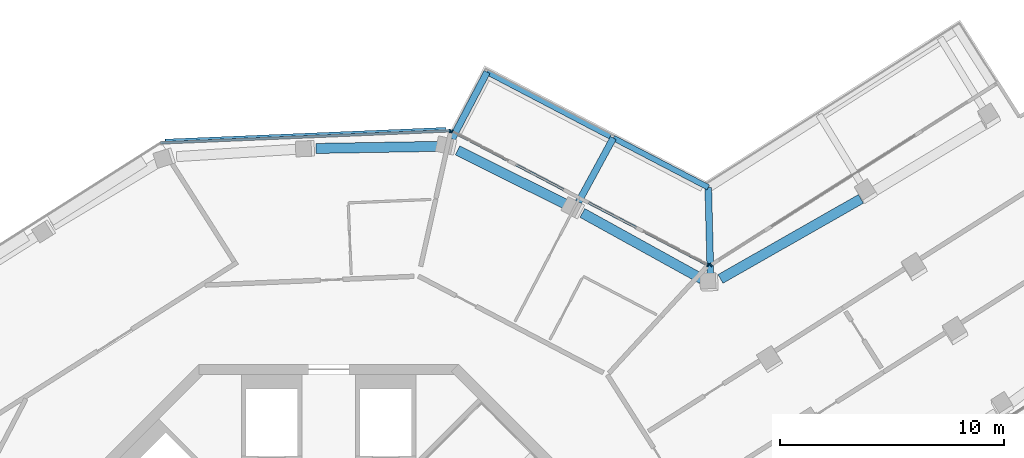
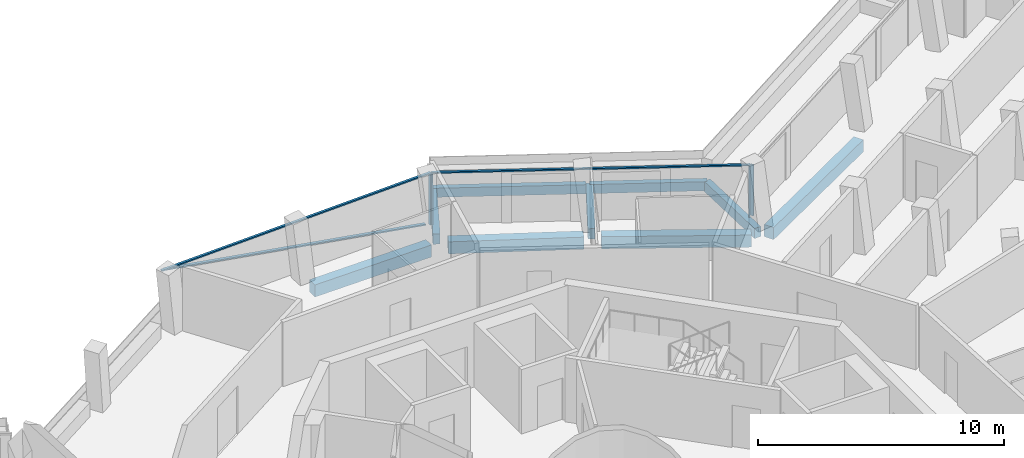
# One storey, part 8 of 23: 9 beams, 7 members, 3 elements without a shape of their own.
"""IFC4 building model written with IfcOpenShell, lengths in metres."""

from ifc_helpers import new_model, si_unit, direction, frame, origin, origin_2d, place, context, subcontext, project, spatial, rectangle, extrude, material, layer, layer_set, material_profile, profile_set, type_object, element, aggregate, save


model = new_model("IFC4")

# Units and contexts
model_context = context("Model", 3, precision=1e-05, world=origin(), true_north=direction((0.0, 1.0)))
body_context = subcontext(model_context, "Body", "Model", "MODEL_VIEW")
ifc_project = project(units=[si_unit("LENGTHUNIT", "METRE"), si_unit("AREAUNIT", "SQUARE_METRE"), si_unit("VOLUMEUNIT", "CUBIC_METRE"), si_unit("PLANEANGLEUNIT", "RADIAN"), si_unit("MASSUNIT", "GRAM", prefix="KILO")], contexts=[model_context])

# Site, building, storey
site_placement = place(None, origin())
site = spatial("IfcSite", under=ifc_project, at=site_placement, CompositionType="ELEMENT")
building_placement = place(site_placement, origin())
building = spatial("IfcBuilding", under=site, at=building_placement, Name="Verdalira Terraces Hotel", CompositionType="ELEMENT")
storey_placement = place(building_placement, frame((0.0, 0.0, 288.0)))
storey = spatial("IfcBuildingStorey", under=building, at=storey_placement, Name="L71", CompositionType="ELEMENT", Elevation=288.0)

# Beams
ifc_material_1 = material(Name="Concrete C40", Category="concrete")
ifc_material_profile_1 = material_profile(ifc_material_1, rectangle(XDim=0.300049, YDim=0.5, at=origin_2d()), Name="RC 300X500")
ifc_profile_set_1 = profile_set([ifc_material_profile_1], Name="Concrete C40")
beam_type_1 = type_object("IfcBeamType", Name="Balcony cantilever beam RC 300X500 C40", PredefinedType="BEAM", material=ifc_profile_set_1)
beam_1_placement = place(storey_placement, frame((17.052002, 17.957031, -0.560059), z_axis=(-0.025094111, 0.999685093, 0.0), x_axis=(-0.999685093, -0.025094111, 0.0)))
element("IfcBeam", 1, at=beam_1_placement, inside=storey, type_object=beam_type_1, Name="Balcony cantilever beam R38-1", PredefinedType="BEAM", context=body_context, shape_type="SweptSolid", body=[
    extrude(rectangle(XDim=0.300049, YDim=0.5, at=origin_2d()), origin(), (0.0, 0.0, 1.0), 3.949951),
])
beam_2_placement = place(storey_placement, frame((11.15918, 21.25708, -0.560059), z_axis=(0.478094243, 0.878308542, 0.0), x_axis=(-0.878308542, 0.478094243, 0.0)))
element("IfcBeam", 2, at=beam_2_placement, inside=storey, type_object=beam_type_1, Name="Balcony cantilever beam R38-2", PredefinedType="BEAM", context=body_context, shape_type="SweptSolid", body=[
    extrude(rectangle(XDim=0.300049, YDim=0.5, at=origin_2d()), origin(), (0.0, 0.0, 1.0), 3.250732),
])
beam_3_placement = place(storey_placement, frame((5.513672, 24.072998, -0.560059), z_axis=(0.463308514, 0.886197055, 0.0), x_axis=(-0.886197055, 0.463308514, 0.0)))
element("IfcBeam", 3, at=beam_3_placement, inside=storey, type_object=beam_type_1, Name="Balcony cantilever beam R38-3", PredefinedType="BEAM", context=body_context, shape_type="SweptSolid", body=[
    extrude(rectangle(XDim=0.300049, YDim=0.5, at=origin_2d()), origin(), (0.0, 0.0, 1.0), 3.370361),
])
ifc_material_2 = material(Name="Concrete C40", Category="concrete")
ifc_material_profile_2 = material_profile(ifc_material_2, rectangle(XDim=0.25, YDim=0.449951, at=origin_2d()), Name="RC 250X450")
ifc_profile_set_2 = profile_set([ifc_material_profile_2], Name="Concrete C40")
beam_type_2 = type_object("IfcBeamType", Name="Balcony edge beam RC 250X450 C40", PredefinedType="BEAM", material=ifc_profile_set_2)
beam_4_placement = place(storey_placement, frame((16.952881, 21.905762, -0.534912), z_axis=(-0.887045286, 0.461682424, 0.0), x_axis=(-0.461682424, -0.887045286, 0.0)))
element("IfcBeam", 4, at=beam_4_placement, inside=storey, type_object=beam_type_2, Name="Balcony edge beam R38-1", PredefinedType="BEAM", context=body_context, shape_type="SweptSolid", body=[
    extrude(rectangle(XDim=0.25, YDim=0.449951, at=origin_2d()), origin(), (0.0, 0.0, 1.0), 4.779297),
])
beam_5_placement = place(storey_placement, frame((12.580322, 24.181641, -0.534912), z_axis=(-0.886192805, 0.463316643, 0.0), x_axis=(-0.463316643, -0.886192805, 0.0)))
element("IfcBeam", 5, at=beam_5_placement, inside=storey, type_object=beam_type_2, Name="Balcony edge beam R38-2", PredefinedType="BEAM", context=body_context, shape_type="SweptSolid", body=[
    extrude(rectangle(XDim=0.25, YDim=0.449951, at=origin_2d()), origin(), (0.0, 0.0, 1.0), 6.212158),
])

# Curtain wall, members
ifc_material_3 = material(Name="Clear glass", Category="glass")
ifc_layer_1 = layer(ifc_material_3, 0.14990234375)
ifc_layer_set_1 = layer_set([ifc_layer_1], Name="CW1 curtain wall")
curtain_wall_type_1 = type_object("IfcCurtainWallType", Name="CW1 curtain wall", PredefinedType="NOTDEFINED", material=ifc_layer_set_1)
curtain_wall_1_placement = place(storey_placement, origin())
curtain_wall_1 = element("IfcCurtainWall", 6, at=curtain_wall_1_placement, inside=storey, type_object=curtain_wall_type_1, Name="CW1 curtain wall L71 edge 39", PredefinedType="NOTDEFINED")
ifc_material_4 = material(Name="Terracotta frame", Category="masonry")
ifc_material_profile_3 = material_profile(ifc_material_4, rectangle(XDim=0.060059, YDim=0.149902, at=origin_2d()), Name="MU 60x150")
ifc_profile_set_3 = profile_set([ifc_material_profile_3], Name="Terracotta frame")
member_type_1 = type_object("IfcMemberType", Name="CW1 mullion 60x150", PredefinedType="MULLION", material=ifc_profile_set_3)
member_1_placement = place(storey_placement, frame((16.937744, 18.433838, 0.0), z_axis=(0.0, 0.0, 1.0), x_axis=(-0.886203579, 0.463296035, 0.0)))
member_1 = element("IfcMember", 7, at=member_1_placement, type_object=member_type_1, Name="CW1 mullion", PredefinedType="MULLION", context=body_context, shape_type="SweptSolid", body=[
    extrude(rectangle(XDim=0.060059, YDim=0.149902, at=origin_2d()), origin(), (0.0, 0.0, 1.0), 2.524902),
])
member_2_placement = place(storey_placement, frame((5.505859, 24.410156, 0.0), z_axis=(0.0, 0.0, 1.0), x_axis=(-0.886203579, 0.463296035, 0.0)))
member_2 = element("IfcMember", 8, at=member_2_placement, type_object=member_type_1, Name="CW1 mullion", PredefinedType="MULLION", context=body_context, shape_type="SweptSolid", body=[
    extrude(rectangle(XDim=0.060059, YDim=0.149902, at=origin_2d()), origin(), (0.0, 0.0, 1.0), 2.524902),
])

# Curtain wall, member
curtain_wall_2_placement = place(storey_placement, origin())
curtain_wall_2 = element("IfcCurtainWall", 9, at=curtain_wall_2_placement, inside=storey, type_object=curtain_wall_type_1, Name="CW1 curtain wall L71 edge 40", PredefinedType="NOTDEFINED")
member_3_placement = place(storey_placement, frame((5.411377, 24.431396, 0.0), z_axis=(0.0, 0.0, 1.0), x_axis=(-0.99912283, -0.041875654, 0.0)))
member_3 = element("IfcMember", 10, at=member_3_placement, type_object=member_type_1, Name="CW1 mullion", PredefinedType="MULLION", context=body_context, shape_type="SweptSolid", body=[
    extrude(rectangle(XDim=0.060059, YDim=0.149902, at=origin_2d()), origin(), (0.0, 0.0, 1.0), 2.524902),
])

# Member
ifc_material_5 = material(Name="Terracotta frame", Category="masonry")
ifc_material_profile_4 = material_profile(ifc_material_5, rectangle(XDim=0.110107, YDim=0.064941, at=origin_2d()), Name="TR 65x110")
ifc_profile_set_4 = profile_set([ifc_material_profile_4], Name="Terracotta frame")
member_type_2 = type_object("IfcMemberType", Name="CW1 transom 65x110", PredefinedType="USERDEFINED", material=ifc_profile_set_4)
member_4_placement = place(storey_placement, frame((16.964355, 18.419922, 2.557617), z_axis=(-0.886207339, 0.463288844, 0.0), x_axis=(-0.463288844, -0.886207339, 0.0)))
member_4 = element("IfcMember", 11, at=member_4_placement, type_object=member_type_2, Name="CW1 transom", ObjectType="TRANSOM", PredefinedType="USERDEFINED", context=body_context, shape_type="SweptSolid", body=[
    extrude(rectangle(XDim=0.110107, YDim=0.064941, at=origin_2d()), origin(), (0.0, 0.0, 1.0), 12.959961),
])

aggregate(curtain_wall_1, [member_1, member_2, member_4])

member_5_placement = place(storey_placement, frame((5.441406, 24.432617, 2.557617), z_axis=(-0.999122758, -0.041877367, 0.0), x_axis=(0.041877367, -0.999122758, 0.0)))
member_5 = element("IfcMember", 12, at=member_5_placement, type_object=member_type_2, Name="CW1 transom", ObjectType="TRANSOM", PredefinedType="USERDEFINED", context=body_context, shape_type="SweptSolid", body=[
    extrude(rectangle(XDim=0.110107, YDim=0.064941, at=origin_2d()), origin(), (0.0, 0.0, 1.0), 12.959961),
])

# Curtain wall, member
ifc_material_6 = material(Name="Clear glass", Category="glass")
ifc_layer_2 = layer(ifc_material_6, 0.14990234375)
ifc_layer_set_2 = layer_set([ifc_layer_2], Name="CW2 curtain wall")
curtain_wall_type_2 = type_object("IfcCurtainWallType", Name="CW2 curtain wall", PredefinedType="NOTDEFINED", material=ifc_layer_set_2)
curtain_wall_3_placement = place(storey_placement, origin())
curtain_wall_3 = element("IfcCurtainWall", 13, at=curtain_wall_3_placement, inside=storey, type_object=curtain_wall_type_2, Name="CW2 curtain wall L71 edge 38", PredefinedType="NOTDEFINED")
ifc_material_7 = material(Name="Terracotta frame", Category="masonry")
ifc_material_profile_5 = material_profile(ifc_material_7, rectangle(XDim=0.070068, YDim=0.149902, at=origin_2d()), Name="MU 70x150")
ifc_profile_set_5 = profile_set([ifc_material_profile_5], Name="Terracotta frame")
member_type_3 = type_object("IfcMemberType", Name="CW2 mullion 70x150", PredefinedType="MULLION", material=ifc_profile_set_5)
member_6_placement = place(storey_placement, frame((17.068848, 18.441895, 0.0), z_axis=(0.0, 0.0, 1.0), x_axis=(-0.844327926, -0.535826795, 0.0)))
member_6 = element("IfcMember", 14, at=member_6_placement, type_object=member_type_3, Name="CW2 mullion", PredefinedType="MULLION", context=body_context, shape_type="SweptSolid", body=[
    extrude(rectangle(XDim=0.070068, YDim=0.149902, at=origin_2d()), origin(), (0.0, 0.0, 1.0), 2.524902),
])
aggregate(curtain_wall_3, [member_6])

# Member
ifc_material_8 = material(Name="Terracotta frame", Category="masonry")
ifc_material_profile_6 = material_profile(ifc_material_8, rectangle(XDim=0.149902, YDim=0.060059, at=origin_2d()), Name="GB 60x150")
ifc_profile_set_6 = profile_set([ifc_material_profile_6], Name="Terracotta frame")
member_type_4 = type_object("IfcMemberType", Name="Diagonal glazing bar 60x150", PredefinedType="USERDEFINED", material=ifc_profile_set_6)
member_7_placement = place(storey_placement, frame((5.226318, 24.512695, 0.029785), z_axis=(-0.980347213, -0.041082672, 0.192954803), x_axis=(0.041869499, -0.999123088, 0.0)))
member_7 = element("IfcMember", 15, at=member_7_placement, type_object=member_type_4, Name="Diagonal glazing bar", ObjectType="GLAZING BAR", PredefinedType="USERDEFINED", context=body_context, shape_type="SweptSolid", body=[
    extrude(rectangle(XDim=0.149902, YDim=0.060059, at=origin_2d()), origin(), (0.0, 0.0, 1.0), 12.776611),
])

aggregate(curtain_wall_2, [member_3, member_5, member_7])

# Beams
ifc_material_9 = material(Name="Concrete C40", Category="concrete")
ifc_material_profile_7 = material_profile(ifc_material_9, rectangle(XDim=0.449951, YDim=0.600098, at=origin_2d()), Name="RC 450X600")
ifc_profile_set_7 = profile_set([ifc_material_profile_7], Name="Concrete C40")
beam_type_3 = type_object("IfcBeamType", Name="Spandrel beam RC 450X600 C40", PredefinedType="SPANDREL", material=ifc_profile_set_7)
beam_6_placement = place(storey_placement, frame((23.771729, 21.391846, -0.610107), z_axis=(-0.868862497, -0.495053494, 0.0), x_axis=(0.495053494, -0.868862497, 0.0)))
element("IfcBeam", 16, at=beam_6_placement, inside=storey, type_object=beam_type_3, Name="Spandrel beam B23", PredefinedType="SPANDREL", context=body_context, shape_type="SweptSolid", body=[
    extrude(rectangle(XDim=0.449951, YDim=0.600098, at=origin_2d()), origin(), (0.0, 0.0, 1.0), 7.220947),
])
beam_7_placement = place(storey_placement, frame((16.666748, 17.814209, -0.610107), z_axis=(-0.87525804, 0.483656245, 0.0), x_axis=(-0.483656245, -0.87525804, 0.0)))
element("IfcBeam", 17, at=beam_7_placement, inside=storey, type_object=beam_type_3, Name="Spandrel beam B24", PredefinedType="SPANDREL", context=body_context, shape_type="SweptSolid", body=[
    extrude(rectangle(XDim=0.449951, YDim=0.600098, at=origin_2d()), origin(), (0.0, 0.0, 1.0), 6.097168),
])
beam_8_placement = place(storey_placement, frame((10.69751, 21.095215, -0.610107), z_axis=(-0.894974823, 0.44611665, 0.0), x_axis=(-0.44611665, -0.894974823, 0.0)))
element("IfcBeam", 18, at=beam_8_placement, inside=storey, type_object=beam_type_3, Name="Spandrel beam B25", PredefinedType="SPANDREL", context=body_context, shape_type="SweptSolid", body=[
    extrude(rectangle(XDim=0.449951, YDim=0.600098, at=origin_2d()), origin(), (0.0, 0.0, 1.0), 5.52124),
])
beam_9_placement = place(storey_placement, frame((4.954102, 23.738281, -0.610107), z_axis=(-0.999859688, -0.016751252, 0.0), x_axis=(0.016751252, -0.999859688, 0.0)))
element("IfcBeam", 19, at=beam_9_placement, inside=storey, type_object=beam_type_3, Name="Spandrel beam B26", PredefinedType="SPANDREL", context=body_context, shape_type="SweptSolid", body=[
    extrude(rectangle(XDim=0.449951, YDim=0.600098, at=origin_2d()), origin(), (0.0, 0.0, 1.0), 5.523682),
])

save(model, "model.ifc")
